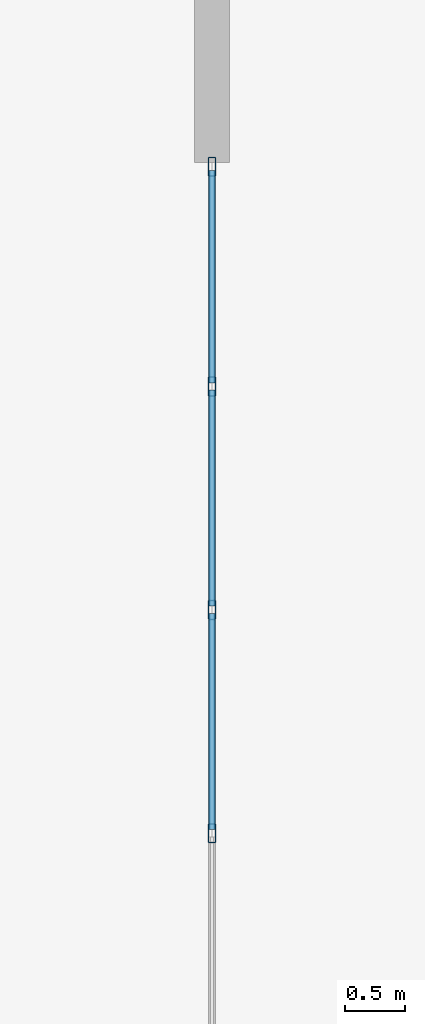
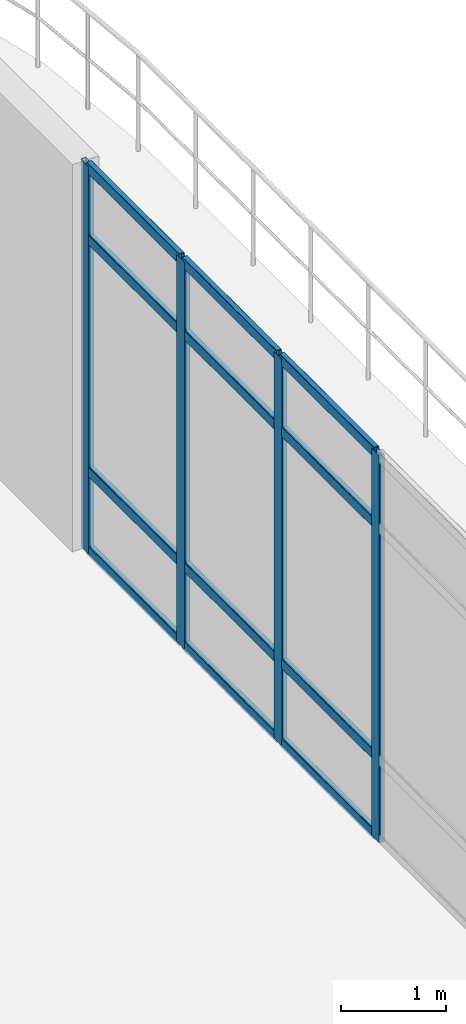
# One storey, part 28 of 41: 16 members, 1 element without a shape of its own.
"""IFC4 building model written with IfcOpenShell, lengths in metres."""

from ifc_helpers import new_model, si_unit, derived_unit, direction, frame, origin, origin_2d, place, context, subcontext, project, spatial, hollow_rectangle, extrude, material, layer, layer_set, material_profile, profile_set, type_object, element, aggregate, save


model = new_model("IFC4")

# Units and contexts
model_context = context("Model", 3, precision=1e-05, world=origin(), true_north=direction((0.0, 1.0)))
body_context = subcontext(model_context, "Body", "Model", "MODEL_VIEW")
ifc_project = project(units=[si_unit("LENGTHUNIT", "METRE"), si_unit("AREAUNIT", "SQUARE_METRE"), si_unit("VOLUMEUNIT", "CUBIC_METRE"), si_unit("PLANEANGLEUNIT", "RADIAN"), si_unit("MASSUNIT", "GRAM", prefix="KILO"), derived_unit("THERMALTRANSMITTANCEUNIT", [(si_unit("MASSUNIT", "GRAM", prefix="KILO"), 1), (si_unit("TIMEUNIT", "SECOND"), -3), (si_unit("THERMODYNAMICTEMPERATUREUNIT", "KELVIN"), -1)])], contexts=[model_context])

# Site, building, storey
site_placement = place(None, origin())
site = spatial("IfcSite", under=ifc_project, at=site_placement, CompositionType="ELEMENT")
building_placement = place(site_placement, origin())
building = spatial("IfcBuilding", under=site, at=building_placement, Name="Qinzheling Arcade Emporium", CompositionType="ELEMENT")
storey_placement = place(building_placement, frame((0.0, 0.0, 36.300048828125)))
storey = spatial("IfcBuildingStorey", under=building, at=storey_placement, Name="L08", CompositionType="ELEMENT", Elevation=36.300048828125)

# Curtain wall, members
ifc_material_1 = material(Name="Anodised aluminium and solar-control double glazing", Category="aluminium")
ifc_layer = layer(ifc_material_1, 0.159912109375, Name="Anodised aluminium and solar-control double glazing", Category="aluminium")
ifc_layer_set = layer_set([ifc_layer], Name="Anodised aluminium and solar-control double glazing")
curtain_wall_type = type_object("IfcCurtainWallType", Name="Arcade Portal Glazed Curtain Wall", PredefinedType="NOTDEFINED", material=ifc_layer_set)
curtain_wall_placement = place(storey_placement, origin())
curtain_wall = element("IfcCurtainWall", 1, at=curtain_wall_placement, inside=storey, type_object=curtain_wall_type, Name="Curtain Wall CW-L08-443", PredefinedType="NOTDEFINED")
ifc_material_2 = material(Name="Anodised aluminium 6063-T6", Category="aluminium")
ifc_material_profile_1 = material_profile(ifc_material_2, hollow_rectangle(XDim=0.06005859375, YDim=0.159912109375, WallThickness=0.00390625, InnerFilletRadius=0.00390625, OuterFilletRadius=0.008056640625, at=origin_2d()), Name="RHS 160x60x4", Category="aluminium")
ifc_profile_set_1 = profile_set([ifc_material_profile_1], Name="Anodised aluminium 6063-T6")
member_type_1 = type_object("IfcMemberType", Name="Curtain Wall Mullion RHS160x60", PredefinedType="MULLION", material=ifc_profile_set_1)
member_1_placement = place(storey_placement, frame((127.60009765625, 90.51806640625, 0.0), z_axis=(0.0, 0.0, 1.0), x_axis=(1.0, 0.0, 0.0)))
member_1 = element("IfcMember", 2, at=member_1_placement, type_object=member_type_1, Name="CW05 mullion 1", PredefinedType="MULLION", context=body_context, shape_type="SweptSolid", body=[
    extrude(hollow_rectangle(XDim=0.06005859375, YDim=0.159912109375, WallThickness=0.00390625, InnerFilletRadius=0.00390625, OuterFilletRadius=0.008056640625, at=origin_2d()), origin(), (0.0, 0.0, 1.0), 4.489990234375),
])
member_2_placement = place(storey_placement, frame((127.60009765625, 88.698486328125, 0.0), z_axis=(0.0, 0.0, 1.0), x_axis=(1.0, 0.0, 0.0)))
member_2 = element("IfcMember", 3, at=member_2_placement, type_object=member_type_1, Name="CW05 mullion 2", PredefinedType="MULLION", context=body_context, shape_type="SweptSolid", body=[
    extrude(hollow_rectangle(XDim=0.06005859375, YDim=0.159912109375, WallThickness=0.00390625, InnerFilletRadius=0.00390625, OuterFilletRadius=0.008056640625, at=origin_2d()), origin(), (0.0, 0.0, 1.0), 4.489990234375),
])
member_3_placement = place(storey_placement, frame((127.60009765625, 86.848876953125, 0.0), z_axis=(0.0, 0.0, 1.0), x_axis=(1.0, 0.0, 0.0)))
member_3 = element("IfcMember", 4, at=member_3_placement, type_object=member_type_1, Name="CW05 mullion 3", PredefinedType="MULLION", context=body_context, shape_type="SweptSolid", body=[
    extrude(hollow_rectangle(XDim=0.06005859375, YDim=0.159912109375, WallThickness=0.00390625, InnerFilletRadius=0.00390625, OuterFilletRadius=0.008056640625, at=origin_2d()), origin(), (0.0, 0.0, 1.0), 4.489990234375),
])
member_4_placement = place(storey_placement, frame((127.60009765625, 84.999267578125, 0.0), z_axis=(0.0, 0.0, 1.0), x_axis=(1.0, 0.0, 0.0)))
member_4 = element("IfcMember", 5, at=member_4_placement, type_object=member_type_1, Name="CW05 mullion 4", PredefinedType="MULLION", context=body_context, shape_type="SweptSolid", body=[
    extrude(hollow_rectangle(XDim=0.06005859375, YDim=0.159912109375, WallThickness=0.00390625, InnerFilletRadius=0.00390625, OuterFilletRadius=0.008056640625, at=origin_2d()), origin(), (0.0, 0.0, 1.0), 4.489990234375),
])
ifc_material_profile_2 = material_profile(ifc_material_2, hollow_rectangle(XDim=0.06005859375, YDim=0.1201171875, WallThickness=0.00390625, InnerFilletRadius=0.00390625, OuterFilletRadius=0.008056640625, at=origin_2d()), Name="RHS 120x60x4", Category="aluminium")
ifc_profile_set_2 = profile_set([ifc_material_profile_2], Name="Anodised aluminium 6063-T6")
member_type_2 = type_object("IfcMemberType", Name="Curtain Wall Transom RHS120x60", PredefinedType="USERDEFINED", material=ifc_profile_set_2)
member_5_placement = place(storey_placement, frame((127.60009765625, 90.488037109375, 0.030029296875), z_axis=(0.0, -1.0, 0.0), x_axis=(1.0, 0.0, 0.0)))
member_5 = element("IfcMember", 6, at=member_5_placement, type_object=member_type_2, Name="CW05 transom 1.1", ObjectType="TRANSOM", PredefinedType="USERDEFINED", context=body_context, shape_type="SweptSolid", body=[
    extrude(hollow_rectangle(XDim=0.06005859375, YDim=0.1201171875, WallThickness=0.00390625, InnerFilletRadius=0.00390625, OuterFilletRadius=0.008056640625, at=origin_2d()), origin(), (0.0, 0.0, 1.0), 1.759521484375),
])
member_6_placement = place(storey_placement, frame((127.60009765625, 90.488037109375, 0.949951171875), z_axis=(0.0, -1.0, 0.0), x_axis=(1.0, 0.0, 0.0)))
member_6 = element("IfcMember", 7, at=member_6_placement, type_object=member_type_2, Name="CW05 transom 1.2", ObjectType="TRANSOM", PredefinedType="USERDEFINED", context=body_context, shape_type="SweptSolid", body=[
    extrude(hollow_rectangle(XDim=0.06005859375, YDim=0.1201171875, WallThickness=0.00390625, InnerFilletRadius=0.00390625, OuterFilletRadius=0.008056640625, at=origin_2d()), origin(), (0.0, 0.0, 1.0), 1.759521484375),
])
member_7_placement = place(storey_placement, frame((127.60009765625, 90.488037109375, 3.639892578125), z_axis=(0.0, -1.0, 0.0), x_axis=(1.0, 0.0, 0.0)))
member_7 = element("IfcMember", 8, at=member_7_placement, type_object=member_type_2, Name="CW05 transom 1.3", ObjectType="TRANSOM", PredefinedType="USERDEFINED", context=body_context, shape_type="SweptSolid", body=[
    extrude(hollow_rectangle(XDim=0.06005859375, YDim=0.1201171875, WallThickness=0.00390625, InnerFilletRadius=0.00390625, OuterFilletRadius=0.008056640625, at=origin_2d()), origin(), (0.0, 0.0, 1.0), 1.759521484375),
])
member_8_placement = place(storey_placement, frame((127.60009765625, 90.488037109375, 4.4599609375), z_axis=(0.0, -1.0, 0.0), x_axis=(1.0, 0.0, 0.0)))
member_8 = element("IfcMember", 9, at=member_8_placement, type_object=member_type_2, Name="CW05 transom 1.4", ObjectType="TRANSOM", PredefinedType="USERDEFINED", context=body_context, shape_type="SweptSolid", body=[
    extrude(hollow_rectangle(XDim=0.06005859375, YDim=0.1201171875, WallThickness=0.00390625, InnerFilletRadius=0.00390625, OuterFilletRadius=0.008056640625, at=origin_2d()), origin(), (0.0, 0.0, 1.0), 1.759521484375),
])
member_9_placement = place(storey_placement, frame((127.60009765625, 88.66845703125, 0.030029296875), z_axis=(0.0, -1.0, 0.0), x_axis=(1.0, 0.0, 0.0)))
member_9 = element("IfcMember", 10, at=member_9_placement, type_object=member_type_2, Name="CW05 transom 2.1", ObjectType="TRANSOM", PredefinedType="USERDEFINED", context=body_context, shape_type="SweptSolid", body=[
    extrude(hollow_rectangle(XDim=0.06005859375, YDim=0.1201171875, WallThickness=0.00390625, InnerFilletRadius=0.00390625, OuterFilletRadius=0.008056640625, at=origin_2d()), origin(), (0.0, 0.0, 1.0), 1.78955078125),
])
member_10_placement = place(storey_placement, frame((127.60009765625, 88.66845703125, 0.949951171875), z_axis=(0.0, -1.0, 0.0), x_axis=(1.0, 0.0, 0.0)))
member_10 = element("IfcMember", 11, at=member_10_placement, type_object=member_type_2, Name="CW05 transom 2.2", ObjectType="TRANSOM", PredefinedType="USERDEFINED", context=body_context, shape_type="SweptSolid", body=[
    extrude(hollow_rectangle(XDim=0.06005859375, YDim=0.1201171875, WallThickness=0.00390625, InnerFilletRadius=0.00390625, OuterFilletRadius=0.008056640625, at=origin_2d()), origin(), (0.0, 0.0, 1.0), 1.78955078125),
])
member_11_placement = place(storey_placement, frame((127.60009765625, 88.66845703125, 3.639892578125), z_axis=(0.0, -1.0, 0.0), x_axis=(1.0, 0.0, 0.0)))
member_11 = element("IfcMember", 12, at=member_11_placement, type_object=member_type_2, Name="CW05 transom 2.3", ObjectType="TRANSOM", PredefinedType="USERDEFINED", context=body_context, shape_type="SweptSolid", body=[
    extrude(hollow_rectangle(XDim=0.06005859375, YDim=0.1201171875, WallThickness=0.00390625, InnerFilletRadius=0.00390625, OuterFilletRadius=0.008056640625, at=origin_2d()), origin(), (0.0, 0.0, 1.0), 1.78955078125),
])
member_12_placement = place(storey_placement, frame((127.60009765625, 88.66845703125, 4.4599609375), z_axis=(0.0, -1.0, 0.0), x_axis=(1.0, 0.0, 0.0)))
member_12 = element("IfcMember", 13, at=member_12_placement, type_object=member_type_2, Name="CW05 transom 2.4", ObjectType="TRANSOM", PredefinedType="USERDEFINED", context=body_context, shape_type="SweptSolid", body=[
    extrude(hollow_rectangle(XDim=0.06005859375, YDim=0.1201171875, WallThickness=0.00390625, InnerFilletRadius=0.00390625, OuterFilletRadius=0.008056640625, at=origin_2d()), origin(), (0.0, 0.0, 1.0), 1.78955078125),
])
member_13_placement = place(storey_placement, frame((127.60009765625, 86.81884765625, 0.030029296875), z_axis=(0.0, -1.0, 0.0), x_axis=(1.0, 0.0, 0.0)))
member_13 = element("IfcMember", 14, at=member_13_placement, type_object=member_type_2, Name="CW05 transom 3.1", ObjectType="TRANSOM", PredefinedType="USERDEFINED", context=body_context, shape_type="SweptSolid", body=[
    extrude(hollow_rectangle(XDim=0.06005859375, YDim=0.1201171875, WallThickness=0.00390625, InnerFilletRadius=0.00390625, OuterFilletRadius=0.008056640625, at=origin_2d()), origin(), (0.0, 0.0, 1.0), 1.78955078125),
])
member_14_placement = place(storey_placement, frame((127.60009765625, 86.81884765625, 0.949951171875), z_axis=(0.0, -1.0, 0.0), x_axis=(1.0, 0.0, 0.0)))
member_14 = element("IfcMember", 15, at=member_14_placement, type_object=member_type_2, Name="CW05 transom 3.2", ObjectType="TRANSOM", PredefinedType="USERDEFINED", context=body_context, shape_type="SweptSolid", body=[
    extrude(hollow_rectangle(XDim=0.06005859375, YDim=0.1201171875, WallThickness=0.00390625, InnerFilletRadius=0.00390625, OuterFilletRadius=0.008056640625, at=origin_2d()), origin(), (0.0, 0.0, 1.0), 1.78955078125),
])
member_15_placement = place(storey_placement, frame((127.60009765625, 86.81884765625, 3.639892578125), z_axis=(0.0, -1.0, 0.0), x_axis=(1.0, 0.0, 0.0)))
member_15 = element("IfcMember", 16, at=member_15_placement, type_object=member_type_2, Name="CW05 transom 3.3", ObjectType="TRANSOM", PredefinedType="USERDEFINED", context=body_context, shape_type="SweptSolid", body=[
    extrude(hollow_rectangle(XDim=0.06005859375, YDim=0.1201171875, WallThickness=0.00390625, InnerFilletRadius=0.00390625, OuterFilletRadius=0.008056640625, at=origin_2d()), origin(), (0.0, 0.0, 1.0), 1.78955078125),
])
member_16_placement = place(storey_placement, frame((127.60009765625, 86.81884765625, 4.4599609375), z_axis=(0.0, -1.0, 0.0), x_axis=(1.0, 0.0, 0.0)))
member_16 = element("IfcMember", 17, at=member_16_placement, type_object=member_type_2, Name="CW05 transom 3.4", ObjectType="TRANSOM", PredefinedType="USERDEFINED", context=body_context, shape_type="SweptSolid", body=[
    extrude(hollow_rectangle(XDim=0.06005859375, YDim=0.1201171875, WallThickness=0.00390625, InnerFilletRadius=0.00390625, OuterFilletRadius=0.008056640625, at=origin_2d()), origin(), (0.0, 0.0, 1.0), 1.78955078125),
])
aggregate(curtain_wall, [member_1, member_2, member_3, member_4, member_5, member_6, member_7, member_8, member_9, member_10, member_11, member_12, member_13, member_14, member_15, member_16])

save(model, "model.ifc")
